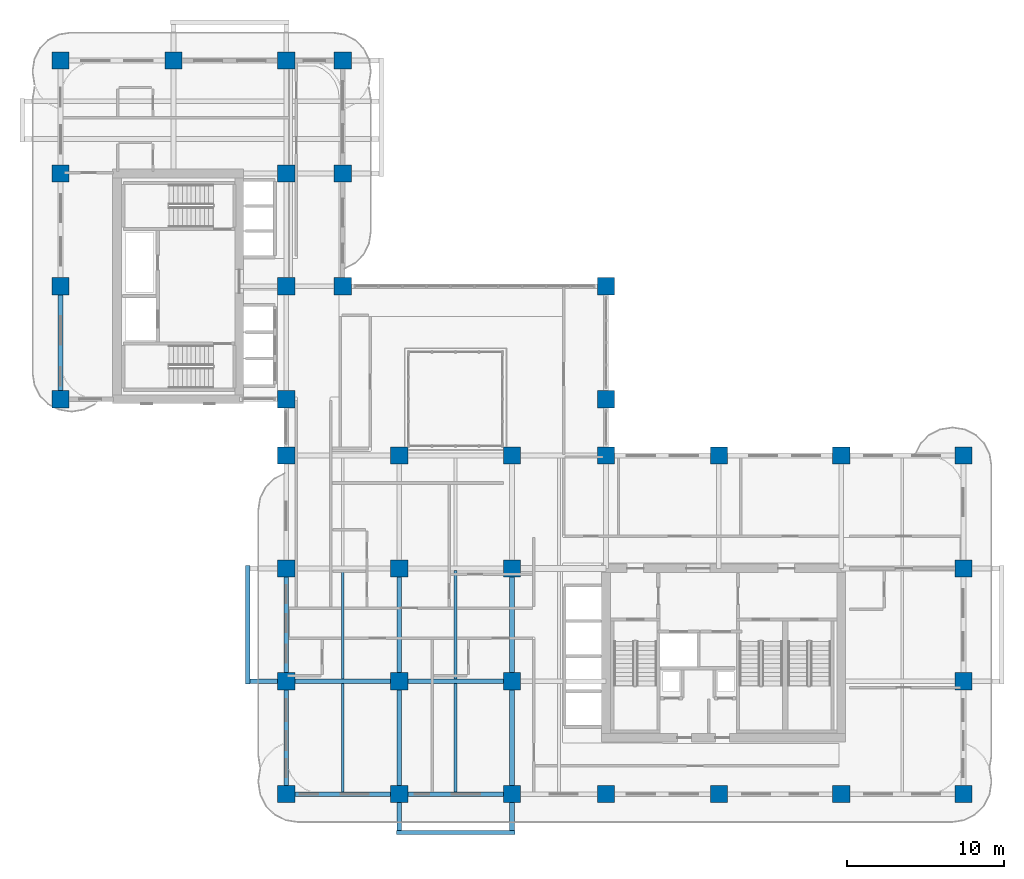
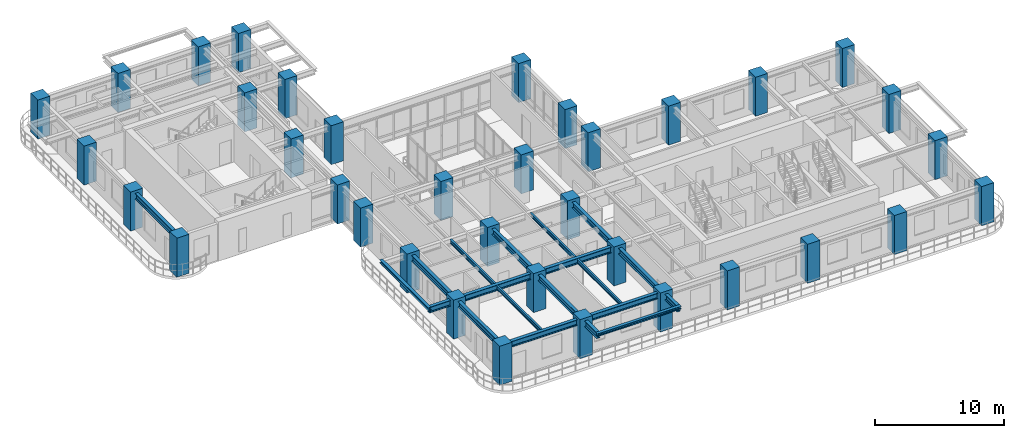
# One storey, part 1 of 22: 36 columns, 17 beams.
"""IFC4 building model written with IfcOpenShell, lengths in metres."""

from ifc_helpers import new_model, si_unit, derived_unit, direction, frame, origin, origin_2d, place, context, subcontext, project, spatial, rectangle, i_section, extrude, source, transform, mapped, material, material_profile, profile_set, type_object, type_shapes, element, save


model = new_model("IFC4")

# Units and contexts
model_context = context("Model", 3, precision=1e-05, world=origin(), true_north=direction((0.0, 1.0)))
body_context = subcontext(model_context, "Body", "Model", "MODEL_VIEW")
ifc_project = project(units=[si_unit("LENGTHUNIT", "METRE"), si_unit("AREAUNIT", "SQUARE_METRE"), si_unit("VOLUMEUNIT", "CUBIC_METRE"), si_unit("PLANEANGLEUNIT", "RADIAN"), si_unit("MASSUNIT", "GRAM", prefix="KILO"), si_unit("THERMODYNAMICTEMPERATUREUNIT", "KELVIN"), si_unit("POWERUNIT", "WATT"), derived_unit("THERMALTRANSMITTANCEUNIT", [(si_unit("POWERUNIT", "WATT"), 1), (si_unit("AREAUNIT", "SQUARE_METRE"), -1), (si_unit("THERMODYNAMICTEMPERATUREUNIT", "KELVIN"), -1)])], contexts=[model_context])

# Site, building, storey
site_placement = place(None, origin())
site = spatial("IfcSite", under=ifc_project, at=site_placement, CompositionType="ELEMENT")
building_placement = place(site_placement, origin())
building = spatial("IfcBuilding", under=site, at=building_placement, Name="Zahravan Archway Hotel and Residences", CompositionType="ELEMENT")
storey_placement = place(building_placement, frame((0.0, 0.0, 87.89990234375)))
storey = spatial("IfcBuildingStorey", under=building, at=storey_placement, Name="L21", CompositionType="ELEMENT", Elevation=87.89990234375)

# Columns
ifc_material_1 = material(Name="Concrete C70/85", Category="concrete")
ifc_material_profile_1 = material_profile(ifc_material_1, rectangle(XDim=1.10009765625, YDim=1.10009765625, at=origin_2d()), Name="RC 1100x1100", Category="concrete")
ifc_profile_set_1 = profile_set([ifc_material_profile_1], Name="Concrete C70/85")
column_type = type_object("IfcColumnType", Name="COL-RC-1100", PredefinedType="COLUMN", material=ifc_profile_set_1)
shared_shape_1 = source(origin(), body_context, "Body", "SweptSolid", [
    extrude(rectangle(XDim=1.10009765625, YDim=1.10009765625, at=origin_2d()), origin(), (0.0, 0.0, 1.0), 3.7001953125),
])
for number, where, z_axis, x_axis, name in (
    (1, (0.0, 25.199951171875, 0.0), (0.0, 0.0, 1.0), (1.0, 0.0, 0.0), "L21 Column 1-E"),
    (2, (0.0, 32.39990234375, 0.0), (0.0, 0.0, 1.0), (1.0, 0.0, 0.0), "L21 Column 1-F"),
    (3, (0.0, 39.60009765625, 0.0), (0.0, 0.0, 1.0), (1.0, 0.0, 0.0), "L21 Column 1-G"),
    (4, (0.0, 46.800048828125, 0.0), (0.0, 0.0, 1.0), (1.0, 0.0, 0.0), "L21 Column 1-H"),
    (5, (7.199951171875, 46.800048828125, 0.0), (0.0, 0.0, 1.0), (1.0, 0.0, 0.0), "L21 Column 2-H"),
    (6, (14.39990234375, 0.0, 0.0), (0.0, 0.0, 1.0), (1.0, 0.0, 0.0), "L21 Column 3-A"),
    (7, (14.39990234375, 7.199951171875, 0.0), (0.0, 0.0, 1.0), (1.0, 0.0, 0.0), "L21 Column 3-B"),
    (8, (14.39990234375, 14.39990234375, 0.0), (0.0, 0.0, 1.0), (1.0, 0.0, 0.0), "L21 Column 3-C"),
    (9, (14.39990234375, 21.60009765625, 0.0), (0.0, 0.0, 1.0), (1.0, 0.0, 0.0), "L21 Column 3-D"),
    (10, (14.39990234375, 25.199951171875, 0.0), (0.0, 0.0, 1.0), (1.0, 0.0, 0.0), "L21 Column 3-E"),
    (11, (14.39990234375, 32.39990234375, 0.0), (0.0, 0.0, 1.0), (1.0, 0.0, 0.0), "L21 Column 3-F"),
    (12, (14.39990234375, 39.60009765625, 0.0), (0.0, 0.0, 1.0), (1.0, 0.0, 0.0), "L21 Column 3-G"),
    (13, (14.39990234375, 46.800048828125, 0.0), (0.0, 0.0, 1.0), (1.0, 0.0, 0.0), "L21 Column 3-H"),
    (14, (21.60009765625, 0.0, 0.0), (0.0, 0.0, 1.0), (1.0, 0.0, 0.0), "L21 Column 4-A"),
    (15, (21.60009765625, 7.199951171875, 0.0), (0.0, 0.0, 1.0), (1.0, 0.0, 0.0), "L21 Column 4-B"),
    (16, (21.60009765625, 14.39990234375, 0.0), (0.0, 0.0, 1.0), (1.0, 0.0, 0.0), "L21 Column 4-C"),
    (17, (21.60009765625, 21.60009765625, 0.0), (0.0, 0.0, 1.0), (1.0, 0.0, 0.0), "L21 Column 4-D"),
    (18, (28.800048828125, 0.0, 0.0), (0.0, 0.0, 1.0), (1.0, 0.0, 0.0), "L21 Column 5-A"),
    (19, (28.800048828125, 7.199951171875, 0.0), (0.0, 0.0, 1.0), (1.0, 0.0, 0.0), "L21 Column 5-B"),
    (20, (28.800048828125, 14.39990234375, 0.0), (0.0, 0.0, 1.0), (1.0, 0.0, 0.0), "L21 Column 5-C"),
    (21, (28.800048828125, 21.60009765625, 0.0), (0.0, 0.0, 1.0), (1.0, 0.0, 0.0), "L21 Column 5-D"),
    (22, (34.800048828125, 0.0, 0.0), (0.0, 0.0, 1.0), (1.0, 0.0, 0.0), "L21 Column 6-A"),
    (23, (34.800048828125, 21.60009765625, 0.0), (0.0, 0.0, 1.0), (1.0, 0.0, 0.0), "L21 Column 6-D"),
    (24, (34.800048828125, 25.199951171875, 0.0), (0.0, 0.0, 1.0), (1.0, 0.0, 0.0), "L21 Column 6-E"),
    (25, (34.800048828125, 32.39990234375, 0.0), (0.0, 0.0, 1.0), (1.0, 0.0, 0.0), "L21 Column 6-F"),
    (26, (42.0, 0.0, 0.0), (0.0, 0.0, 1.0), (1.0, 0.0, 0.0), "L21 Column 7-A"),
    (27, (42.0, 21.60009765625, 0.0), (0.0, 0.0, 1.0), (1.0, 0.0, 0.0), "L21 Column 7-D"),
    (28, (49.800048828125, 0.0, 0.0), (0.0, 0.0, 1.0), (1.0, 0.0, 0.0), "L21 Column 8-A"),
    (29, (49.800048828125, 21.60009765625, 0.0), (0.0, 0.0, 1.0), (1.0, 0.0, 0.0), "L21 Column 8-D"),
    (30, (57.60009765625, 0.0, 0.0), (0.0, 0.0, 1.0), (1.0, 0.0, 0.0), "L21 Column 9-A"),
    (31, (57.60009765625, 7.199951171875, 0.0), (0.0, 0.0, 1.0), (1.0, 0.0, 0.0), "L21 Column 9-B"),
    (32, (57.60009765625, 14.39990234375, 0.0), (0.0, 0.0, 1.0), (1.0, 0.0, 0.0), "L21 Column 9-C"),
    (33, (57.60009765625, 21.60009765625, 0.0), (0.0, 0.0, 1.0), (1.0, 0.0, 0.0), "L21 Column 9-D"),
    (34, (18.0, 32.39990234375, 0.0), (0.0, 0.0, 1.0), (1.0, 0.0, 0.0), "L21 Column 3B-F"),
    (35, (18.0, 39.60009765625, 0.0), (0.0, 0.0, 1.0), (1.0, 0.0, 0.0), "L21 Column 3B-G"),
    (36, (18.0, 46.800048828125, 0.0), (0.0, 0.0, 1.0), (1.0, 0.0, 0.0), "L21 Column 3B-H"),
):
    element("IfcColumn", number, at=place(storey_placement, frame(where, z_axis=z_axis, x_axis=x_axis)), inside=storey, type_object=column_type, Name=name, PredefinedType="COLUMN", context=body_context, shape_type="MappedRepresentation", body=[
        mapped(shared_shape_1, transform((0.0, 0.0, 0.0), scale=1.0)),
    ])

# Beams
ifc_material_2 = material(Name="Structural Steel S355JR", Category="steel")
ifc_material_profile_2 = material_profile(ifc_material_2, i_section(OverallWidth=0.280029296875, OverallDepth=0.280029296875, WebThickness=0.010498046875, FlangeThickness=0.01806640625, FilletRadius=0.02392578125, at=origin_2d()), Name="HEB 280", Category="steel")
ifc_profile_set_2 = profile_set([ifc_material_profile_2], Name="Structural Steel S355JR")
beam_type_1 = type_object("IfcBeamType", Name="BM-SPN-HEB280", PredefinedType="SPANDREL", material=ifc_profile_set_2)
shared_shape_2 = source(origin(), body_context, "Body", "SweptSolid", [
    extrude(i_section(OverallWidth=0.280029296875, OverallDepth=0.280029296875, WebThickness=0.010498046875, FlangeThickness=0.01806640625, FilletRadius=0.02392578125, at=origin_2d()), origin(), (0.0, 0.0, 1.0), 7.56005859375),
])
type_shapes(beam_type_1, [shared_shape_2])
for number, where, z_axis, x_axis, name in (
    (37, (11.949951171875, 7.02001953125, 3.31005859375), (0.0, 1.0, 0.0), (-1.0, 0.0, 0.0), "L22 WA Balcony Edge Spandrel"),
    (38, (21.419921875, -2.449951171875, 3.31005859375), (1.0, 0.0, 0.0), (0.0, 1.0, 0.0), "L22 SA Balcony Edge Spandrel"),
):
    element("IfcBeam", number, at=place(storey_placement, frame(where, z_axis=z_axis, x_axis=x_axis)), inside=storey, type_object=beam_type_1, Name=name, PredefinedType="SPANDREL", context=body_context, shape_type="MappedRepresentation", body=[
        mapped(shared_shape_2, transform((0.0, 0.0, 0.0), scale=1.0)),
    ])
ifc_material_profile_3 = material_profile(ifc_material_2, i_section(OverallWidth=0.300048828125, OverallDepth=0.550048828125, WebThickness=0.014892578125, FlangeThickness=0.029052734375, FilletRadius=0.027099609375, at=origin_2d()), Name="HEB 550", Category="steel")
ifc_profile_set_3 = profile_set([ifc_material_profile_3], Name="Structural Steel S355JR")
beam_type_2 = type_object("IfcBeamType", Name="BM-PRI-HEB550", PredefinedType="BEAM", material=ifc_profile_set_3)
shared_shape_3 = source(origin(), body_context, "Body", "SweptSolid", [
    extrude(i_section(OverallWidth=0.300048828125, OverallDepth=0.550048828125, WebThickness=0.014892578125, FlangeThickness=0.029052734375, FilletRadius=0.027099609375, at=origin_2d()), origin(), (0.0, 0.0, 1.0), 7.2001953125),
])
type_shapes(beam_type_2, [shared_shape_3])
beam_1_placement = place(storey_placement, frame((14.39990234375, 0.0, 3.175048828125), z_axis=(1.0, 0.0, 0.0), x_axis=(0.0, 1.0, 0.0)))
element("IfcBeam", 39, at=beam_1_placement, inside=storey, type_object=beam_type_2, Name="L21 Primary Girder EW-01", PredefinedType="BEAM", context=body_context, shape_type="MappedRepresentation", body=[
    mapped(shared_shape_3, transform((0.0, 0.0, 0.0), scale=1.0)),
])
shared_shape_4 = source(origin(), body_context, "Body", "SweptSolid", [
    extrude(i_section(OverallWidth=0.300048828125, OverallDepth=0.550048828125, WebThickness=0.014892578125, FlangeThickness=0.029052734375, FilletRadius=0.027099609375, at=origin_2d()), origin(), (0.0, 0.0, 1.0), 7.199951171875),
])
for number, where, z_axis, x_axis, name in (
    (40, (21.60009765625, 0.0, 3.175048828125), (1.0, 0.0, 0.0), (0.0, 1.0, 0.0), "L21 Primary Girder EW-02"),
    (41, (21.60009765625, 7.199951171875, 3.175048828125), (1.0, 0.0, 0.0), (0.0, 1.0, 0.0), "L21 Primary Girder EW-08"),
    (42, (0.0, 25.199951171875, 3.175048828125), (0.0, 1.0, 0.0), (-1.0, 0.0, 0.0), "L21 Primary Girder NS-28"),
    (43, (14.39990234375, 0.0, 3.175048828125), (0.0, 1.0, 0.0), (-1.0, 0.0, 0.0), "L21 Primary Girder NS-32"),
    (44, (14.39990234375, 7.199951171875, 3.175048828125), (0.0, 1.0, 0.0), (-1.0, 0.0, 0.0), "L21 Primary Girder NS-33"),
    (45, (21.60009765625, 7.199951171875, 3.175048828125), (0.0, 1.0, 0.0), (-1.0, 0.0, 0.0), "L21 Primary Girder NS-40"),
    (46, (28.800048828125, 7.199951171875, 3.175048828125), (0.0, 1.0, 0.0), (-1.0, 0.0, 0.0), "L21 Primary Girder NS-43"),
):
    element("IfcBeam", number, at=place(storey_placement, frame(where, z_axis=z_axis, x_axis=x_axis)), inside=storey, type_object=beam_type_2, Name=name, PredefinedType="BEAM", context=body_context, shape_type="MappedRepresentation", body=[
        mapped(shared_shape_4, transform((0.0, 0.0, 0.0), scale=1.0)),
    ])
shared_shape_5 = source(origin(), body_context, "Body", "SweptSolid", [
    extrude(i_section(OverallWidth=0.300048828125, OverallDepth=0.550048828125, WebThickness=0.014892578125, FlangeThickness=0.029052734375, FilletRadius=0.027099609375, at=origin_2d()), origin(), (0.0, 0.0, 1.0), 9.650146484375),
])
beam_2_placement = place(storey_placement, frame((11.949951171875, 7.199951171875, 3.175048828125), z_axis=(1.0, 0.0, 0.0), x_axis=(0.0, 1.0, 0.0)))
element("IfcBeam", 47, at=beam_2_placement, inside=storey, type_object=beam_type_2, Name="L21 Primary Girder EW-07", PredefinedType="BEAM", context=body_context, shape_type="MappedRepresentation", body=[
    mapped(shared_shape_5, transform((0.0, 0.0, 0.0), scale=1.0)),
])
shared_shape_6 = source(origin(), body_context, "Body", "SweptSolid", [
    extrude(i_section(OverallWidth=0.300048828125, OverallDepth=0.550048828125, WebThickness=0.014892578125, FlangeThickness=0.029052734375, FilletRadius=0.027099609375, at=origin_2d()), origin(), (0.0, 0.0, 1.0), 9.64990234375),
])
for number, where, z_axis, x_axis, name in (
    (48, (21.60009765625, -2.449951171875, 3.175048828125), (0.0, 1.0, 0.0), (-1.0, 0.0, 0.0), "L21 Primary Girder NS-39"),
    (49, (28.800048828125, -2.449951171875, 3.175048828125), (0.0, 1.0, 0.0), (-1.0, 0.0, 0.0), "L21 Primary Girder NS-42"),
):
    element("IfcBeam", number, at=place(storey_placement, frame(where, z_axis=z_axis, x_axis=x_axis)), inside=storey, type_object=beam_type_2, Name=name, PredefinedType="BEAM", context=body_context, shape_type="MappedRepresentation", body=[
        mapped(shared_shape_6, transform((0.0, 0.0, 0.0), scale=1.0)),
    ])
ifc_material_profile_4 = material_profile(ifc_material_2, i_section(OverallWidth=0.169921875, OverallDepth=0.360107421875, WebThickness=0.008056640625, FlangeThickness=0.0126953125, FilletRadius=0.01806640625, at=origin_2d()), Name="IPE 360", Category="steel")
ifc_profile_set_4 = profile_set([ifc_material_profile_4], Name="Structural Steel S355JR")
beam_type_3 = type_object("IfcBeamType", Name="BM-JST-IPE360", PredefinedType="JOIST", material=ifc_profile_set_4)
shared_shape_7 = source(origin(), body_context, "Body", "SweptSolid", [
    extrude(i_section(OverallWidth=0.169921875, OverallDepth=0.360107421875, WebThickness=0.008056640625, FlangeThickness=0.0126953125, FilletRadius=0.01806640625, at=origin_2d()), origin(), (0.0, 0.0, 1.0), 6.904052734375),
])
type_shapes(beam_type_3, [shared_shape_7])
for number, where, z_axis, x_axis, name in (
    (50, (18.0, 0.14794921875, 3.27001953125), (0.0, 1.0, 0.0), (-1.0, 0.0, 0.0), "L21 Composite Floor Joist 01"),
    (51, (25.199951171875, 0.14794921875, 3.27001953125), (0.0, 1.0, 0.0), (-1.0, 0.0, 0.0), "L21 Composite Floor Joist 02"),
    (52, (18.0, 7.347900390625, 3.27001953125), (0.0, 1.0, 0.0), (-1.0, 0.0, 0.0), "L21 Composite Floor Joist 05"),
    (53, (25.199951171875, 7.347900390625, 3.27001953125), (0.0, 1.0, 0.0), (-1.0, 0.0, 0.0), "L21 Composite Floor Joist 06"),
):
    element("IfcBeam", number, at=place(storey_placement, frame(where, z_axis=z_axis, x_axis=x_axis)), inside=storey, type_object=beam_type_3, Name=name, PredefinedType="JOIST", context=body_context, shape_type="MappedRepresentation", body=[
        mapped(shared_shape_7, transform((0.0, 0.0, 0.0), scale=1.0)),
    ])

save(model, "model.ifc")
